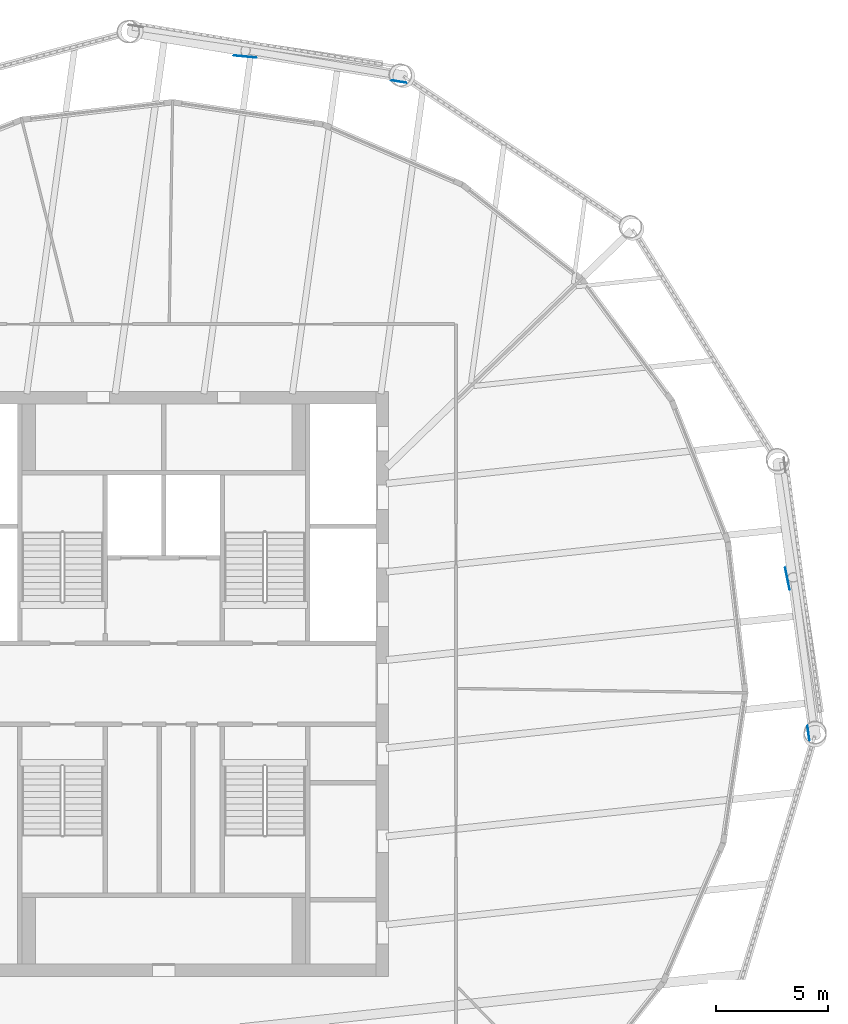
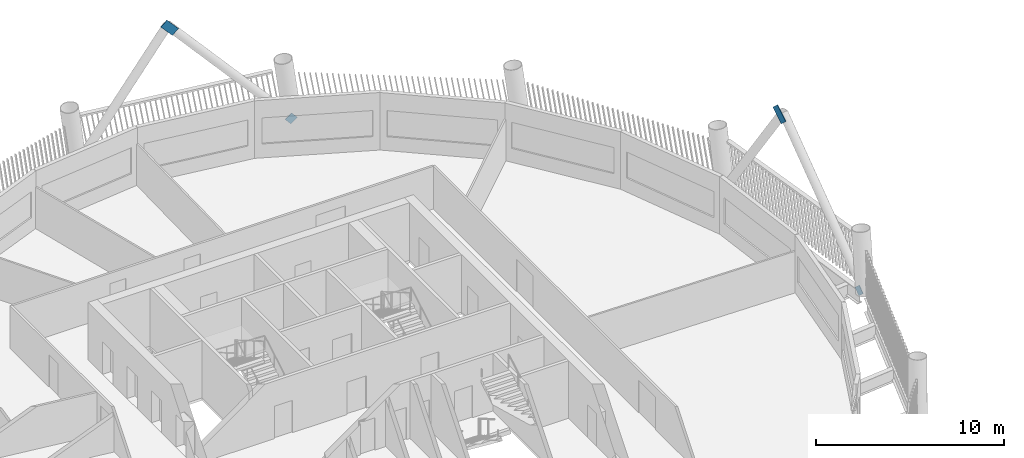
# One storey, part 10 of 21: 4 discrete accessories.
"""IFC4 building model written with IfcOpenShell, lengths in metres."""

from ifc_helpers import new_model, si_unit, direction, frame, origin, origin_2d, place, context, subcontext, project, spatial, rectangle, extrude, material, material_profile, profile_set, type_object, element, save


model = new_model("IFC4")

# Units and contexts
model_context = context("Model", 3, precision=1e-05, world=origin(), true_north=direction((0.0, 1.0)))
body_context = subcontext(model_context, "Body", "Model", "MODEL_VIEW")
ifc_project = project(units=[si_unit("LENGTHUNIT", "METRE"), si_unit("AREAUNIT", "SQUARE_METRE"), si_unit("VOLUMEUNIT", "CUBIC_METRE"), si_unit("PLANEANGLEUNIT", "RADIAN"), si_unit("MASSUNIT", "GRAM", prefix="KILO")], contexts=[model_context])

# Site, building, storey
site_placement = place(None, origin())
site = spatial("IfcSite", under=ifc_project, at=site_placement, CompositionType="ELEMENT")
building_placement = place(site_placement, origin())
building = spatial("IfcBuilding", under=site, at=building_placement, Name="Tarsis Ring Headquarters", CompositionType="ELEMENT")
storey_placement = place(building_placement, frame((0.0, 0.0, 255.199951171875)))
storey = spatial("IfcBuildingStorey", under=building, at=storey_placement, Name="L59", CompositionType="ELEMENT", Elevation=255.199951171875)

# Discrete accessories
ifc_material = material(Name="Structural steel S355", Category="steel")
ifc_material_profile = material_profile(ifc_material, rectangle(XDim=0.02490234375, YDim=0.5, at=origin_2d()), Name="PL 25x500")
ifc_profile_set = profile_set([ifc_material_profile], Name="Structural steel S355")
discrete_accessory_type = type_object("IfcDiscreteAccessoryType", Name="Gusset plate Exo brace 25", PredefinedType="BRACKET", material=ifc_profile_set)
discrete_accessory_1_placement = place(storey_placement, frame((28.6923828125, -2.347900390625, 0.0), z_axis=(-0.090810732453, 0.667898290299, 0.738691603233), x_axis=(-0.990882984351, -0.134725318048, 0.0)))
element("IfcDiscreteAccessory", 1, at=discrete_accessory_1_placement, inside=storey, type_object=discrete_accessory_type, Name="Gusset plate GP5", PredefinedType="BRACKET", context=body_context, shape_type="SweptSolid", body=[
    extrude(rectangle(XDim=0.02490234375, YDim=0.5, at=origin_2d()), origin(), (0.0, 0.0, 1.0), 0.5),
])
discrete_accessory_2_placement = place(storey_placement, frame((27.80322265625, 4.355224609375, 7.4306640625), z_axis=(-0.134020035197, 0.660579627036, 0.738696951741), x_axis=(-0.98003365763, -0.198831662247, 0.0)))
element("IfcDiscreteAccessory", 2, at=discrete_accessory_2_placement, inside=storey, type_object=discrete_accessory_type, Name="Gusset plate GP5", PredefinedType="BRACKET", context=body_context, shape_type="SweptSolid", body=[
    extrude(rectangle(XDim=0.02490234375, YDim=0.5, at=origin_2d()), origin(), (0.0, 0.0, 1.0), 1.0),
])
discrete_accessory_3_placement = place(storey_placement, frame((10.621337890625, 26.75732421875, 0.0), z_axis=(-0.665410352469, 0.107891187011, 0.73863966492), x_axis=(-0.160052086602, -0.987108570307, 0.0)))
element("IfcDiscreteAccessory", 3, at=discrete_accessory_3_placement, inside=storey, type_object=discrete_accessory_type, Name="Gusset plate GP5", PredefinedType="BRACKET", context=body_context, shape_type="SweptSolid", body=[
    extrude(rectangle(XDim=0.02490234375, YDim=0.5, at=origin_2d()), origin(), (0.0, 0.0, 1.0), 0.5),
])
discrete_accessory_4_placement = place(storey_placement, frame((3.950439453125, 27.863525390625, 7.4306640625), z_axis=(-0.670874665503, 0.064694973202, 0.738743354372), x_axis=(-0.095988481756, -0.995382444777, 0.0)))
element("IfcDiscreteAccessory", 4, at=discrete_accessory_4_placement, inside=storey, type_object=discrete_accessory_type, Name="Gusset plate GP5", PredefinedType="BRACKET", context=body_context, shape_type="SweptSolid", body=[
    extrude(rectangle(XDim=0.02490234375, YDim=0.5, at=origin_2d()), origin(), (0.0, 0.0, 1.0), 1.0),
])

save(model, "model.ifc")
